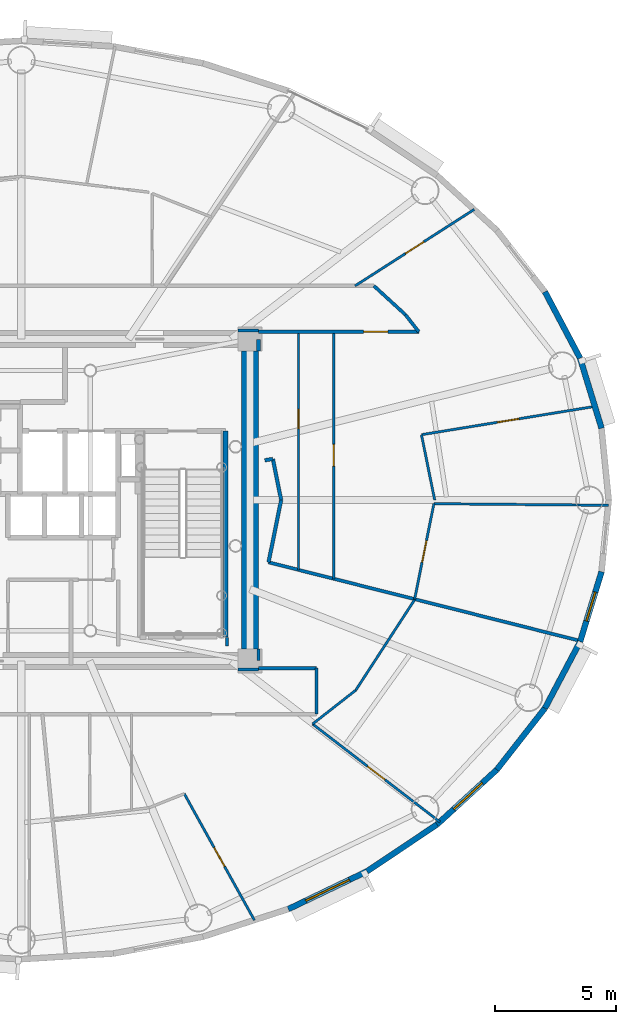
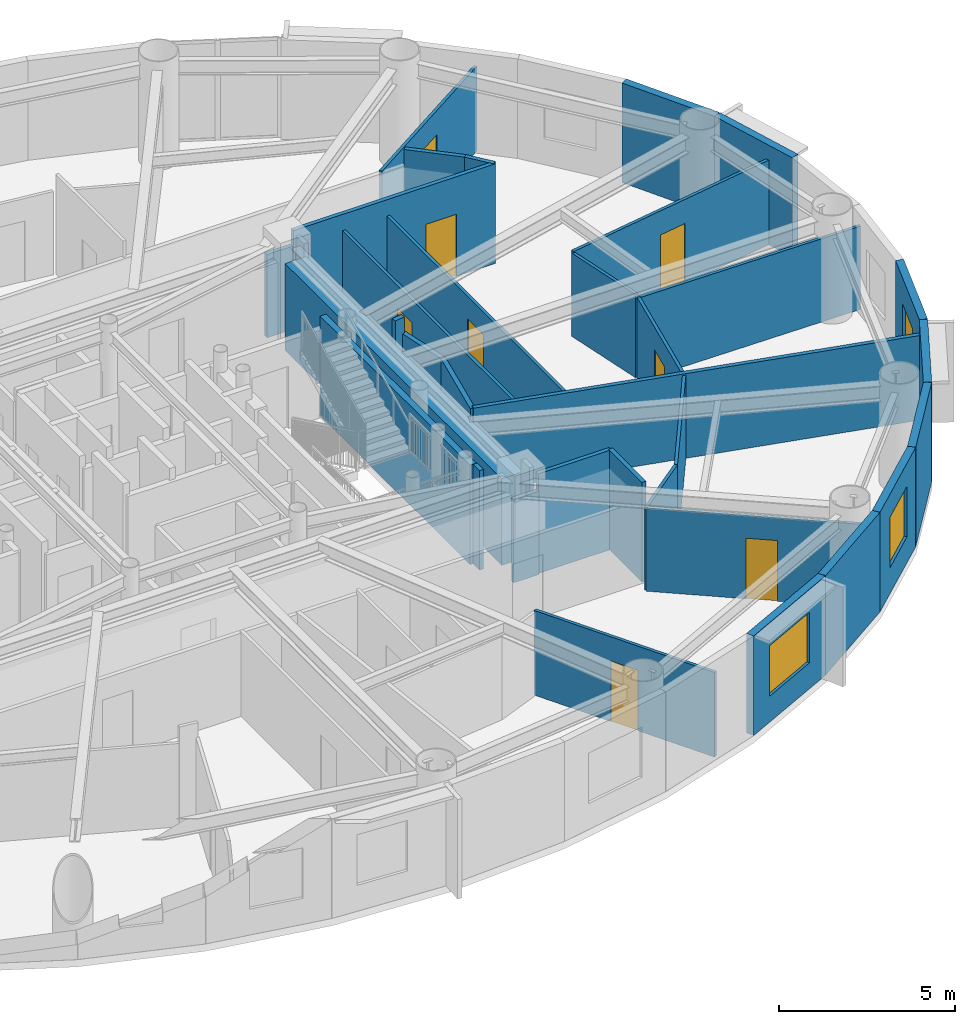
# One storey, part 10 of 18: 35 walls, 8 doors, 3 windows, 11 openings.
"""IFC4 building model written with IfcOpenShell, lengths in metres."""

from ifc_helpers import new_model, si_unit, direction, frame, frame_2d, origin, origin_2d, place, context, subcontext, project, spatial, rectangle, extrude, source, transform, mapped, material, layer, layer_set, type_object, element, fill, save


model = new_model("IFC4")

# Units and contexts
model_context = context("Model", 3, precision=1e-05, world=origin(), true_north=direction((0.0, 1.0)))
body_context = subcontext(model_context, "Body", "Model", "MODEL_VIEW")
ifc_project = project(units=[si_unit("LENGTHUNIT", "METRE"), si_unit("AREAUNIT", "SQUARE_METRE"), si_unit("VOLUMEUNIT", "CUBIC_METRE"), si_unit("PLANEANGLEUNIT", "RADIAN"), si_unit("MASSUNIT", "GRAM", prefix="KILO")], contexts=[model_context])

# Site, building, storey
site_placement = place(None, origin())
site = spatial("IfcSite", under=ifc_project, at=site_placement, CompositionType="ELEMENT")
building_placement = place(site_placement, origin())
building = spatial("IfcBuilding", under=site, at=building_placement, Name="Linh Dai School and Residence Tower", CompositionType="ELEMENT")
storey_placement = place(building_placement, frame((0.0, 0.0, 259.050048828125)))
storey = spatial("IfcBuildingStorey", under=building, at=storey_placement, Name="L64", CompositionType="ELEMENT", Elevation=259.050048828125)

# Walls
ifc_material_1 = material(Name="Precast Concrete B45 (C35/45)", Category="concrete")
ifc_layer_1 = layer(ifc_material_1, 0.239990234375)
ifc_layer_set_1 = layer_set([ifc_layer_1], Name="Precast Concrete B45 (C35/45)")
wall_type_1 = type_object("IfcWallType", Name="EW-TC-240", PredefinedType="SOLIDWALL", material=ifc_layer_set_1)
wall_1_placement = place(storey_placement, frame((59.09033203125, 32.85595703125, 0.0), z_axis=(0.0, 0.0, 1.0), x_axis=(0.293132907334, -0.95607170162, 0.0)))
element("IfcWall", 1, at=wall_1_placement, inside=storey, type_object=wall_type_1, Name="L64 Terracotta Exterior Wall 02", PredefinedType="SOLIDWALL", context=body_context, shape_type="SweptSolid", body=[
    extrude(rectangle(XDim=3.02490234375, YDim=0.239990234375, at=frame_2d((1.512451171875, 0.0))), origin(), (0.0, 0.0, 1.0), 3.449951171875),
])
wall_2_placement = place(storey_placement, frame((57.6357421875, 35.605224609375, 0.0), z_axis=(0.0, 0.0, 1.0), x_axis=(0.46766049993, -0.883908172157, 0.0)))
element("IfcWall", 2, at=wall_2_placement, inside=storey, type_object=wall_type_1, Name="L64 Terracotta Exterior Wall 03", PredefinedType="SOLIDWALL", context=body_context, shape_type="SweptSolid", body=[
    extrude(rectangle(XDim=3.1103515625, YDim=0.239990234375, at=frame_2d((1.55517578125, 0.0))), origin(), (0.0, 0.0, 1.0), 3.449951171875),
])

# Wall, opening, window
wall_3_placement = place(storey_placement, frame((50.280029296875, 11.65234375, 0.0), z_axis=(0.0, 0.0, 1.0), x_axis=(-0.901598104751, -0.432574684313, 0.0)))
wall_3 = element("IfcWall", 3, at=wall_3_placement, inside=storey, type_object=wall_type_1, Name="L64 Terracotta Exterior Wall 34", PredefinedType="SOLIDWALL", context=body_context, shape_type="SweptSolid", body=[
    extrude(rectangle(XDim=3.603515625, YDim=0.239990234375, at=frame_2d((1.8017578125, 0.0))), origin(), (0.0, 0.0, 1.0), 3.449951171875),
])
opening_1_placement = place(wall_3_placement, frame((0.802001953125, 0.0, 0.89990234375)))
opening_1 = element("IfcOpeningElement", 4, at=opening_1_placement, cuts=wall_3, Name="Opening W1", PredefinedType="OPENING", context=body_context, shape_type="SweptSolid", body=[
    extrude(rectangle(XDim=2.0, YDim=1.75, at=origin_2d()), frame((1.0, 0.1298828125, 0.875), z_axis=(0.0, -1.0, 0.0), x_axis=(1.0, 0.0, 0.0)), (0.0, 0.0, 1.0), 0.260009765625),
])
ifc_material_2 = material(Name="Double Low-E Insulated Glazing", Category="glass")
window_type_1 = type_object("IfcWindowType", Name="WN-RES-2000x1750", PartitioningType="DOUBLE_PANEL_VERTICAL", PredefinedType="WINDOW", material=ifc_material_2)
shared_shape_1 = source(origin(), body_context, "Body", "SweptSolid", [
    extrude(rectangle(XDim=2.0, YDim=1.75, at=origin_2d()), frame((1.0, 0.030029296875, 0.875), z_axis=(0.0, -1.0, 0.0), x_axis=(1.0, 0.0, 0.0)), (0.0, 0.0, 1.0), 0.06005859375),
])
window_1_placement = place(opening_1_placement, origin())
window_1 = element("IfcWindow", 5, at=window_1_placement, inside=storey, type_object=window_type_1, Name="L64 Exterior Window 34.1", OverallHeight=1.75, OverallWidth=2.0, PartitioningType="DOUBLE_PANEL_VERTICAL", PredefinedType="WINDOW", context=body_context, shape_type="MappedRepresentation", body=[
    mapped(shared_shape_1, transform((0.0, 0.0, 0.0), x_axis=(1.0, 0.0, 0.0), y_axis=(0.0, 1.0, 0.0), z_axis=(0.0, 0.0, 1.0), scale=1.0)),
])
fill(opening_1, window_1)

# Wall
wall_4_placement = place(storey_placement, frame((53.17626953125, 13.589111328125, 0.0), z_axis=(0.0, 0.0, 1.0), x_axis=(-0.831262496074, -0.555880079352, 0.0)))
element("IfcWall", 6, at=wall_4_placement, inside=storey, type_object=wall_type_1, Name="L64 Terracotta Exterior Wall 35", PredefinedType="SOLIDWALL", context=body_context, shape_type="SweptSolid", body=[
    extrude(rectangle(XDim=3.484130859375, YDim=0.239990234375, at=frame_2d((1.7421875, 0.0))), origin(), (0.0, 0.0, 1.0), 3.449951171875),
])

# Wall, opening, window
wall_5_placement = place(storey_placement, frame((55.6484375, 15.85546875, 0.0), z_axis=(0.0, 0.0, 1.0), x_axis=(-0.737123922599, -0.675757591694, 0.0)))
wall_5 = element("IfcWall", 7, at=wall_5_placement, inside=storey, type_object=wall_type_1, Name="L64 Terracotta Exterior Wall 36", PredefinedType="SOLIDWALL", context=body_context, shape_type="SweptSolid", body=[
    extrude(rectangle(XDim=3.353759765625, YDim=0.239990234375, at=frame_2d((1.6767578125, 0.0))), origin(), (0.0, 0.0, 1.0), 3.449951171875),
])
opening_2_placement = place(wall_5_placement, frame((0.81298828125, 0.0, 0.89990234375)))
opening_2 = element("IfcOpeningElement", 8, at=opening_2_placement, cuts=wall_5, Name="Opening W2", PredefinedType="OPENING", context=body_context, shape_type="SweptSolid", body=[
    extrude(rectangle(XDim=1.60009765625, YDim=1.75, at=origin_2d()), frame((0.800048828125, 0.1298828125, 0.875), z_axis=(0.0, -1.0, 0.0), x_axis=(1.0, 0.0, 0.0)), (0.0, 0.0, 1.0), 0.260009765625),
])
window_type_2 = type_object("IfcWindowType", Name="WN-RES-1600x1750", PartitioningType="DOUBLE_PANEL_VERTICAL", PredefinedType="WINDOW", material=ifc_material_2)
shared_shape_2 = source(origin(), body_context, "Body", "SweptSolid", [
    extrude(rectangle(XDim=1.60009765625, YDim=1.75, at=origin_2d()), frame((0.800048828125, 0.030029296875, 0.875), z_axis=(0.0, -1.0, 0.0), x_axis=(1.0, 0.0, 0.0)), (0.0, 0.0, 1.0), 0.06005859375),
])
window_2_placement = place(opening_2_placement, origin())
window_2 = element("IfcWindow", 9, at=window_2_placement, inside=storey, type_object=window_type_2, Name="L64 Exterior Window 36.1", OverallHeight=1.75, OverallWidth=1.60009765625, PartitioningType="DOUBLE_PANEL_VERTICAL", PredefinedType="WINDOW", context=body_context, shape_type="MappedRepresentation", body=[
    mapped(shared_shape_2, transform((0.0, 0.0, 0.0), x_axis=(1.0, 0.0, 0.0), y_axis=(0.0, 1.0, 0.0), z_axis=(0.0, 0.0, 1.0), scale=1.0)),
])
fill(opening_2, window_2)

# Walls
wall_6_placement = place(storey_placement, frame((57.6357421875, 18.394775390625, 0.0), z_axis=(0.0, 0.0, 1.0), x_axis=(-0.616312344705, -0.787501805562, 0.0)))
element("IfcWall", 10, at=wall_6_placement, inside=storey, type_object=wall_type_1, Name="L64 Terracotta Exterior Wall 37", PredefinedType="SOLIDWALL", context=body_context, shape_type="SweptSolid", body=[
    extrude(rectangle(XDim=3.224609375, YDim=0.239990234375, at=frame_2d((1.6123046875, 0.0))), origin(), (0.0, 0.0, 1.0), 3.449951171875),
])
wall_7_placement = place(storey_placement, frame((59.09033203125, 21.14404296875, 0.0), z_axis=(0.0, 0.0, 1.0), x_axis=(-0.46766049993, -0.883908172157, 0.0)))
element("IfcWall", 11, at=wall_7_placement, inside=storey, type_object=wall_type_1, Name="L64 Terracotta Exterior Wall 38", PredefinedType="SOLIDWALL", context=body_context, shape_type="SweptSolid", body=[
    extrude(rectangle(XDim=3.1103515625, YDim=0.239990234375, at=frame_2d((1.55517578125, 0.0))), origin(), (0.0, 0.0, 1.0), 3.449951171875),
])

# Wall, opening, window
wall_8_placement = place(storey_placement, frame((59.97705078125, 24.0361328125, 0.0), z_axis=(0.0, 0.0, 1.0), x_axis=(-0.293132907334, -0.95607170162, 0.0)))
wall_8 = element("IfcWall", 12, at=wall_8_placement, inside=storey, type_object=wall_type_1, Name="L64 Terracotta Exterior Wall 39", PredefinedType="SOLIDWALL", context=body_context, shape_type="SweptSolid", body=[
    extrude(rectangle(XDim=3.02490234375, YDim=0.239990234375, at=frame_2d((1.512451171875, 0.0))), origin(), (0.0, 0.0, 1.0), 3.449951171875),
])
opening_3_placement = place(wall_8_placement, frame((0.8798828125, 0.0, 0.89990234375)))
opening_3 = element("IfcOpeningElement", 13, at=opening_3_placement, cuts=wall_8, Name="Opening W3", PredefinedType="OPENING", context=body_context, shape_type="SweptSolid", body=[
    extrude(rectangle(XDim=1.25, YDim=1.64990234375, at=origin_2d()), frame((0.625, 0.1298828125, 0.824951171875), z_axis=(0.0, -1.0, 0.0), x_axis=(1.0, 0.0, 0.0)), (0.0, 0.0, 1.0), 0.260009765625),
])
window_type_3 = type_object("IfcWindowType", Name="WN-RES-1250x1650", PartitioningType="SINGLE_PANEL", PredefinedType="WINDOW", material=ifc_material_2)
shared_shape_3 = source(origin(), body_context, "Body", "SweptSolid", [
    extrude(rectangle(XDim=1.25, YDim=1.64990234375, at=origin_2d()), frame((0.625, 0.030029296875, 0.824951171875), z_axis=(0.0, -1.0, 0.0), x_axis=(1.0, 0.0, 0.0)), (0.0, 0.0, 1.0), 0.06005859375),
])
window_3_placement = place(opening_3_placement, origin())
window_3 = element("IfcWindow", 14, at=window_3_placement, inside=storey, type_object=window_type_3, Name="L64 Exterior Window 39.1", OverallHeight=1.64990234375, OverallWidth=1.25, PartitioningType="SINGLE_PANEL", PredefinedType="WINDOW", context=body_context, shape_type="MappedRepresentation", body=[
    mapped(shared_shape_3, transform((0.0, 0.0, 0.0), x_axis=(1.0, 0.0, 0.0), y_axis=(0.0, 1.0, 0.0), z_axis=(0.0, 0.0, 1.0), scale=1.0)),
])
fill(opening_3, window_3)

# Wall
ifc_material_3 = material(Name="Autoclaved Aerated Concrete Blockwork", Category="masonry")
ifc_layer_2 = layer(ifc_material_3, 0.135009765625)
ifc_layer_set_2 = layer_set([ifc_layer_2], Name="Autoclaved Aerated Concrete Blockwork")
wall_type_2 = type_object("IfcWallType", Name="IW-CORR-135-EI90", PredefinedType="PARTITIONING", material=ifc_layer_set_2)
wall_9_placement = place(storey_placement, frame((45.800048828125, 20.050048828125, 0.0), z_axis=(0.0, 0.0, 1.0), x_axis=(1.0, 0.0, 0.0)))
element("IfcWall", 15, at=wall_9_placement, inside=storey, type_object=wall_type_2, Name="L64 Interior Partition Wall 075", PredefinedType="PARTITIONING", context=body_context, shape_type="SweptSolid", body=[
    extrude(rectangle(XDim=2.39990234375, YDim=0.135009765625, at=frame_2d((1.199951171875, 0.0))), origin(), (0.0, 0.0, 1.0), 3.449951171875),
])

# Wall, opening, door
wall_10_placement = place(storey_placement, frame((45.800048828125, 33.949951171875, 0.0), z_axis=(0.0, 0.0, 1.0), x_axis=(1.0, 0.0, 0.0)))
wall_10 = element("IfcWall", 16, at=wall_10_placement, inside=storey, type_object=wall_type_2, Name="L64 Interior Partition Wall 076", PredefinedType="PARTITIONING", context=body_context, shape_type="SweptSolid", body=[
    extrude(rectangle(XDim=6.623779296875, YDim=0.135009765625, at=frame_2d((3.31201171875, 0.0))), origin(), (0.0, 0.0, 1.0), 3.449951171875),
])
opening_4_placement = place(wall_10_placement, frame((4.345947265625, 0.0, 0.0)))
opening_4 = element("IfcOpeningElement", 17, at=opening_4_placement, cuts=wall_10, Name="Opening D03", PredefinedType="OPENING", context=body_context, shape_type="SweptSolid", body=[
    extrude(rectangle(XDim=1.0, YDim=2.14990234375, at=origin_2d()), frame((0.5, 0.07763671875, 1.074951171875), z_axis=(0.0, -1.0, 0.0), x_axis=(1.0, 0.0, 0.0)), (0.0, 0.0, 1.0), 0.155029296875),
])
ifc_material_4 = material(Name="Fire-Rated Solid Timber Entrance Door", Category="wood")
door_type_1 = type_object("IfcDoorType", Name="DR-FLAT-1000x2150-FD60S", OperationType="NOTDEFINED", PredefinedType="DOOR", material=ifc_material_4)
shared_shape_4 = source(origin(), body_context, "Body", "SweptSolid", [
    extrude(rectangle(XDim=1.0, YDim=2.14990234375, at=origin_2d()), frame((0.5, 0.02490234375, 1.074951171875), z_axis=(0.0, -1.0, 0.0), x_axis=(1.0, 0.0, 0.0)), (0.0, 0.0, 1.0), 0.050048828125),
])
door_1_placement = place(opening_4_placement, origin())
door_1 = element("IfcDoor", 18, at=door_1_placement, inside=storey, type_object=door_type_1, Name="L64 U6404 Apartment Entrance Door", OperationType="SINGLE_SWING_LEFT", OverallHeight=2.14990234375, OverallWidth=1.0, PredefinedType="DOOR", context=body_context, shape_type="MappedRepresentation", body=[
    mapped(shared_shape_4, transform((0.0, 0.0, 0.0), x_axis=(1.0, 0.0, 0.0), y_axis=(0.0, 1.0, 0.0), z_axis=(0.0, 0.0, 1.0), scale=1.0)),
])
fill(opening_4, door_1)

# Walls
wall_11_placement = place(storey_placement, frame((46.215087890625, 24.424560546875, 0.0), z_axis=(0.0, 0.0, 1.0), x_axis=(0.969657665326, -0.244466791355, 0.0)))
element("IfcWall", 19, at=wall_11_placement, inside=storey, type_object=wall_type_2, Name="L64 Interior Partition Wall 077", PredefinedType="PARTITIONING", context=body_context, shape_type="SweptSolid", body=[
    extrude(rectangle(XDim=13.293212890625, YDim=0.135009765625, at=frame_2d((6.646484375, 0.0))), origin(), (0.0, 0.0, 1.0), 2.93505859375),
])
wall_12_placement = place(storey_placement, frame((48.199951171875, 18.14990234375, 0.0), z_axis=(0.0, 0.0, 1.0), x_axis=(0.0, 1.0, 0.0)))
element("IfcWall", 20, at=wall_12_placement, inside=storey, type_object=wall_type_2, Name="L64 Interior Partition Wall 081", PredefinedType="PARTITIONING", context=body_context, shape_type="SweptSolid", body=[
    extrude(rectangle(XDim=1.900146484375, YDim=0.135009765625, at=frame_2d((0.9501953125, 0.0))), origin(), (0.0, 0.0, 1.0), 3.449951171875),
])
wall_13_placement = place(storey_placement, frame((50.56787109375, 35.85009765625, 0.0), z_axis=(0.0, 0.0, 1.0), x_axis=(0.737102657331, -0.675780787353, 0.0)))
element("IfcWall", 21, at=wall_13_placement, inside=storey, type_object=wall_type_2, Name="L64 Interior Partition Wall 085", PredefinedType="PARTITIONING", context=body_context, shape_type="SweptSolid", body=[
    extrude(rectangle(XDim=1.771728515625, YDim=0.135009765625, at=frame_2d((0.8857421875, 0.0))), origin(), (0.0, 0.0, 1.0), 3.449951171875),
])
wall_14_placement = place(storey_placement, frame((51.873779296875, 34.65283203125, 0.0), z_axis=(0.0, 0.0, 1.0), x_axis=(0.61628613448, -0.787522317429, 0.0)))
element("IfcWall", 22, at=wall_14_placement, inside=storey, type_object=wall_type_2, Name="L64 Interior Partition Wall 086", PredefinedType="PARTITIONING", context=body_context, shape_type="SweptSolid", body=[
    extrude(rectangle(XDim=0.892578125, YDim=0.135009765625, at=frame_2d((0.4462890625, 0.0))), origin(), (0.0, 0.0, 1.0), 3.449951171875),
])
wall_15_placement = place(storey_placement, frame((44.5, 20.9599609375, 0.0), z_axis=(0.0, 0.0, 1.0), x_axis=(0.0, 1.0, 0.0)))
element("IfcWall", 23, at=wall_15_placement, inside=storey, type_object=wall_type_2, Name="L64 Interior Partition Wall 095", PredefinedType="PARTITIONING", context=body_context, shape_type="SweptSolid", body=[
    extrude(rectangle(XDim=0.360107421875, YDim=0.135009765625, at=frame_2d((0.18017578125, 0.0))), origin(), (0.0, 0.0, 1.0), 3.449951171875),
])
for number, where, z_axis, x_axis, name in (
    (24, (45.7900390625, 34.0, 0.0), (0.0, 0.0, 1.0), (-1.0, 0.0, 0.0), "L64 Interior Partition Wall 098"),
    (25, (44.9599609375, 20.0, 0.0), (0.0, 0.0, 1.0), (1.0, 0.0, 0.0), "L64 Interior Partition Wall 103"),
):
    element("IfcWall", number, at=place(storey_placement, frame(where, z_axis=z_axis, x_axis=x_axis)), inside=storey, type_object=wall_type_2, Name=name, PredefinedType="PARTITIONING", context=body_context, shape_type="SweptSolid", body=[
        extrude(rectangle(XDim=0.830078125, YDim=0.135009765625, at=frame_2d((0.4150390625, 0.0))), origin(), (0.0, 0.0, 1.0), 2.885009765625),
    ])
wall_16_placement = place(storey_placement, frame((45.800048828125, 20.37744140625, 0.0), z_axis=(0.0, 0.0, 1.0), x_axis=(0.0, 1.0, 0.0)))
element("IfcWall", 26, at=wall_16_placement, inside=storey, type_object=wall_type_2, Name="L64 Interior Partition Wall 108", PredefinedType="PARTITIONING", context=body_context, shape_type="SweptSolid", body=[
    extrude(rectangle(XDim=0.462646484375, YDim=0.135009765625, at=frame_2d((0.2314453125, 0.0))), origin(), (0.0, 0.0, 1.0), 3.449951171875),
])
ifc_layer_3 = layer(ifc_material_3, 0.14990234375)
ifc_layer_set_3 = layer_set([ifc_layer_3], Name="Autoclaved Aerated Concrete Blockwork")
wall_type_3 = type_object("IfcWallType", Name="IW-SCH-150-EI60", PredefinedType="PARTITIONING", material=ifc_layer_set_3)
wall_17_placement = place(storey_placement, frame((46.215087890625, 24.424560546875, 0.0), z_axis=(0.0, 0.0, 1.0), x_axis=(0.19827768715, 0.980145886477, 0.0)))
element("IfcWall", 27, at=wall_17_placement, inside=storey, type_object=wall_type_3, Name="L64 Interior Partition Wall 109", PredefinedType="PARTITIONING", context=body_context, shape_type="SweptSolid", body=[
    extrude(rectangle(XDim=2.627685546875, YDim=0.14990234375, at=frame_2d((1.31396484375, 0.0))), origin(), (0.0, 0.0, 1.0), 2.885009765625),
])
wall_18_placement = place(storey_placement, frame((46.736083984375, 27.0, 0.0), z_axis=(0.0, 0.0, 1.0), x_axis=(-0.198367575061, 0.980127698397, 0.0)))
element("IfcWall", 28, at=wall_18_placement, inside=storey, type_object=wall_type_3, Name="L64 Interior Partition Wall 110", PredefinedType="PARTITIONING", context=body_context, shape_type="SweptSolid", body=[
    extrude(rectangle(XDim=1.73046875, YDim=0.14990234375, at=frame_2d((0.865234375, 0.0))), origin(), (0.0, 0.0, 1.0), 2.885009765625),
])
wall_19_placement = place(storey_placement, frame((46.392822265625, 28.69580078125, 0.0), z_axis=(0.0, 0.0, 1.0), x_axis=(-0.986993913165, -0.16075762929, 0.0)))
element("IfcWall", 29, at=wall_19_placement, inside=storey, type_object=wall_type_3, Name="L64 Interior Partition Wall 111", PredefinedType="PARTITIONING", context=body_context, shape_type="SweptSolid", body=[
    extrude(rectangle(XDim=0.337158203125, YDim=0.14990234375, at=frame_2d((0.16845703125, 0.0))), origin(), (0.0, 0.0, 1.0), 3.449951171875),
])
wall_20_placement = place(storey_placement, frame((45.800048828125, 33.159912109375, 0.0), z_axis=(0.0, 0.0, 1.0), x_axis=(0.0, 1.0, 0.0)))
element("IfcWall", 30, at=wall_20_placement, inside=storey, type_object=wall_type_3, Name="L64 Interior Partition Wall 112", PredefinedType="PARTITIONING", context=body_context, shape_type="SweptSolid", body=[
    extrude(rectangle(XDim=0.462646484375, YDim=0.14990234375, at=frame_2d((0.2314453125, 0.0))), origin(), (0.0, 0.0, 1.0), 3.449951171875),
])
ifc_material_5 = material(Name="Concrete B45 (C35/45)", Category="concrete")
ifc_layer_4 = layer(ifc_material_5, 0.199951171875)
ifc_layer_set_4 = layer_set([ifc_layer_4], Name="Concrete B45 (C35/45)")
wall_type_4 = type_object("IfcWallType", Name="IW-SHAFT-200-EI120", PredefinedType="PARTITIONING", material=ifc_layer_set_4)
wall_21_placement = place(storey_placement, frame((44.43994140625, 21.330078125, 0.0), z_axis=(0.0, 0.0, 1.0), x_axis=(0.0, 1.0, 0.0)))
element("IfcWall", 31, at=wall_21_placement, inside=storey, type_object=wall_type_4, Name="L64 Interior Partition Wall 074", PredefinedType="PARTITIONING", context=body_context, shape_type="SweptSolid", body=[
    extrude(rectangle(XDim=8.52001953125, YDim=0.199951171875, at=frame_2d((4.260009765625, 0.0))), origin(), (0.0, 0.0, 1.0), 3.449951171875),
])

# Wall, opening, door
ifc_material_6 = material(Name="Gypsum Plasterboard Acoustic Stud Partition", Category="masonry")
ifc_layer_5 = layer(ifc_material_6, 0.10009765625)
ifc_layer_set_5 = layer_set([ifc_layer_5], Name="Gypsum Plasterboard Acoustic Stud Partition")
wall_type_5 = type_object("IfcWallType", Name="IW-UNIT-100", PredefinedType="PARTITIONING", material=ifc_layer_set_5)
wall_22_placement = place(storey_placement, frame((42.73193359375, 14.861083984375, 0.0), z_axis=(0.0, 0.0, 1.0), x_axis=(0.485004680322, -0.874511555136, 0.0)))
wall_22 = element("IfcWall", 32, at=wall_22_placement, inside=storey, type_object=wall_type_5, Name="L64 Interior Partition Wall 073", PredefinedType="PARTITIONING", context=body_context, shape_type="SweptSolid", body=[
    extrude(rectangle(XDim=5.97705078125, YDim=0.10009765625, at=frame_2d((2.988525390625, 0.0))), origin(), (0.0, 0.0, 1.0), 2.93505859375),
])
opening_5_placement = place(wall_22_placement, frame((2.53857421875, 0.0, 0.0)))
opening_5 = element("IfcOpeningElement", 33, at=opening_5_placement, cuts=wall_22, Name="Opening D05", PredefinedType="OPENING", context=body_context, shape_type="SweptSolid", body=[
    extrude(rectangle(XDim=0.89990234375, YDim=2.10009765625, at=origin_2d()), frame((0.449951171875, 0.06005859375, 1.050048828125), z_axis=(0.0, -1.0, 0.0), x_axis=(1.0, 0.0, 0.0)), (0.0, 0.0, 1.0), 0.1201171875),
])
ifc_material_7 = material(Name="Engineered Timber Internal Door", Category="wood")
door_type_2 = type_object("IfcDoorType", Name="DR-INT-900x2100", OperationType="NOTDEFINED", PredefinedType="DOOR", material=ifc_material_7)
shared_shape_5 = source(origin(), body_context, "Body", "SweptSolid", [
    extrude(rectangle(XDim=0.89990234375, YDim=2.10009765625, at=origin_2d()), frame((0.449951171875, 0.02490234375, 1.050048828125), z_axis=(0.0, -1.0, 0.0), x_axis=(1.0, 0.0, 0.0)), (0.0, 0.0, 1.0), 0.050048828125),
])
door_2_placement = place(opening_5_placement, origin())
door_2 = element("IfcDoor", 34, at=door_2_placement, inside=storey, type_object=door_type_2, Name="L64 Apartment U6403 Bedroom 1 Door", OperationType="SINGLE_SWING_LEFT", OverallHeight=2.10009765625, OverallWidth=0.89990234375, PredefinedType="DOOR", context=body_context, shape_type="MappedRepresentation", body=[
    mapped(shared_shape_5, transform((0.0, 0.0, 0.0), x_axis=(1.0, 0.0, 0.0), y_axis=(0.0, 1.0, 0.0), z_axis=(0.0, 0.0, 1.0), scale=1.0)),
])
fill(opening_5, door_2)

wall_23_placement = place(storey_placement, frame((47.453125, 24.1123046875, 0.0), z_axis=(0.0, 0.0, 1.0), x_axis=(0.0, 1.0, 0.0)))
wall_23 = element("IfcWall", 35, at=wall_23_placement, inside=storey, type_object=wall_type_5, Name="L64 Interior Partition Wall 078", PredefinedType="PARTITIONING", context=body_context, shape_type="SweptSolid", body=[
    extrude(rectangle(XDim=9.837646484375, YDim=0.10009765625, at=frame_2d((4.9189453125, 0.0))), origin(), (0.0, 0.0, 1.0), 2.885009765625),
])
opening_6_placement = place(wall_23_placement, frame((5.825439453125, 0.0, 0.0)))
opening_6 = element("IfcOpeningElement", 36, at=opening_6_placement, cuts=wall_23, Name="Opening D06", PredefinedType="OPENING", context=body_context, shape_type="SweptSolid", body=[
    extrude(rectangle(XDim=0.820068359375, YDim=2.10009765625, at=origin_2d()), frame((0.41015625, 0.06005859375, 1.050048828125), z_axis=(0.0, -1.0, 0.0), x_axis=(1.0, 0.0, 0.0)), (0.0, 0.0, 1.0), 0.1201171875),
])
ifc_material_8 = material(Name="Moisture-Resistant Timber Bathroom Door", Category="wood")
door_type_3 = type_object("IfcDoorType", Name="DR-WET-820x2100", OperationType="NOTDEFINED", PredefinedType="DOOR", material=ifc_material_8)
shared_shape_6 = source(origin(), body_context, "Body", "SweptSolid", [
    extrude(rectangle(XDim=0.820068359375, YDim=2.10009765625, at=origin_2d()), frame((0.41015625, 0.02490234375, 1.050048828125), z_axis=(0.0, -1.0, 0.0), x_axis=(1.0, 0.0, 0.0)), (0.0, 0.0, 1.0), 0.050048828125),
])
door_3_placement = place(opening_6_placement, origin())
door_3 = element("IfcDoor", 37, at=door_3_placement, inside=storey, type_object=door_type_3, Name="L64 Apartment U6404 Bathroom 1 Door", OperationType="SINGLE_SWING_RIGHT", OverallHeight=2.10009765625, OverallWidth=0.820068359375, PredefinedType="DOOR", context=body_context, shape_type="MappedRepresentation", body=[
    mapped(shared_shape_6, transform((0.0, 0.0, 0.0), x_axis=(1.0, 0.0, 0.0), y_axis=(0.0, 1.0, 0.0), z_axis=(0.0, 0.0, 1.0), scale=1.0)),
])
fill(opening_6, door_3)

# Wall
wall_24_placement = place(storey_placement, frame((48.0341796875, 17.74267578125, 0.0), z_axis=(0.0, 0.0, 1.0), x_axis=(0.787427677995, 0.616407050517, 0.0)))
element("IfcWall", 38, at=wall_24_placement, inside=storey, type_object=wall_type_5, Name="L64 Interior Partition Wall 079", PredefinedType="PARTITIONING", context=body_context, shape_type="SweptSolid", body=[
    extrude(rectangle(XDim=2.265625, YDim=0.10009765625, at=frame_2d((1.1328125, 0.0))), origin(), (0.0, 0.0, 1.0), 2.885009765625),
])

# Wall, opening, door
wall_25_placement = place(storey_placement, frame((48.0341796875, 17.74267578125, 0.0), z_axis=(0.0, 0.0, 1.0), x_axis=(0.792617155724, -0.609719644141, 0.0)))
wall_25 = element("IfcWall", 39, at=wall_25_placement, inside=storey, type_object=wall_type_5, Name="L64 Interior Partition Wall 080", PredefinedType="PARTITIONING", context=body_context, shape_type="SweptSolid", body=[
    extrude(rectangle(XDim=6.640869140625, YDim=0.10009765625, at=frame_2d((3.3203125, 0.0))), origin(), (0.0, 0.0, 1.0), 2.885009765625),
])
opening_7_placement = place(wall_25_placement, frame((2.870361328125, 0.0, 0.0)))
opening_7 = element("IfcOpeningElement", 40, at=opening_7_placement, cuts=wall_25, Name="Opening D05", PredefinedType="OPENING", context=body_context, shape_type="SweptSolid", body=[
    extrude(rectangle(XDim=0.89990234375, YDim=2.10009765625, at=origin_2d()), frame((0.449951171875, 0.06005859375, 1.050048828125), z_axis=(0.0, -1.0, 0.0), x_axis=(1.0, 0.0, 0.0)), (0.0, 0.0, 1.0), 0.1201171875),
])
door_4_placement = place(opening_7_placement, origin())
door_4 = element("IfcDoor", 41, at=door_4_placement, inside=storey, type_object=door_type_2, Name="L64 Apartment U6403 Principal Bedroom 2 Door", OperationType="SINGLE_SWING_RIGHT", OverallHeight=2.10009765625, OverallWidth=0.89990234375, PredefinedType="DOOR", context=body_context, shape_type="MappedRepresentation", body=[
    mapped(shared_shape_5, transform((0.0, 0.0, 0.0), x_axis=(1.0, 0.0, 0.0), y_axis=(0.0, 1.0, 0.0), z_axis=(0.0, 0.0, 1.0), scale=1.0)),
])
fill(opening_7, door_4)

wall_26_placement = place(storey_placement, frame((48.907958984375, 23.74560546875, 0.0), z_axis=(0.0, 0.0, 1.0), x_axis=(0.0, 1.0, 0.0)))
wall_26 = element("IfcWall", 42, at=wall_26_placement, inside=storey, type_object=wall_type_5, Name="L64 Interior Partition Wall 082", PredefinedType="PARTITIONING", context=body_context, shape_type="SweptSolid", body=[
    extrude(rectangle(XDim=10.204345703125, YDim=0.10009765625, at=frame_2d((5.10205078125, 0.0))), origin(), (0.0, 0.0, 1.0), 2.885009765625),
])
opening_8_placement = place(wall_26_placement, frame((4.652099609375, 0.0, 0.0)))
opening_8 = element("IfcOpeningElement", 43, at=opening_8_placement, cuts=wall_26, Name="Opening D05", PredefinedType="OPENING", context=body_context, shape_type="SweptSolid", body=[
    extrude(rectangle(XDim=0.89990234375, YDim=2.10009765625, at=origin_2d()), frame((0.449951171875, 0.06005859375, 1.050048828125), z_axis=(0.0, -1.0, 0.0), x_axis=(1.0, 0.0, 0.0)), (0.0, 0.0, 1.0), 0.1201171875),
])
door_5_placement = place(opening_8_placement, origin())
door_5 = element("IfcDoor", 44, at=door_5_placement, inside=storey, type_object=door_type_2, Name="L64 Apartment U6404 Kitchen Door", OperationType="SINGLE_SWING_LEFT", OverallHeight=2.10009765625, OverallWidth=0.89990234375, PredefinedType="DOOR", context=body_context, shape_type="MappedRepresentation", body=[
    mapped(shared_shape_5, transform((0.0, 0.0, 0.0), x_axis=(1.0, 0.0, 0.0), y_axis=(0.0, 1.0, 0.0), z_axis=(0.0, 0.0, 1.0), scale=1.0)),
])
fill(opening_8, door_5)

wall_27_placement = place(storey_placement, frame((49.79248046875, 35.85009765625, 0.0), z_axis=(0.0, 0.0, 1.0), x_axis=(0.841640734873, 0.540037844416, 0.0)))
wall_27 = element("IfcWall", 45, at=wall_27_placement, inside=storey, type_object=wall_type_5, Name="L64 Interior Partition Wall 083", PredefinedType="PARTITIONING", context=body_context, shape_type="SweptSolid", body=[
    extrude(rectangle(XDim=5.84765625, YDim=0.10009765625, at=frame_2d((2.923828125, 0.0))), origin(), (0.0, 0.0, 1.0), 2.93505859375),
])
opening_9_placement = place(wall_27_placement, frame((2.473876953125, 0.0, 0.0)))
opening_9 = element("IfcOpeningElement", 46, at=opening_9_placement, cuts=wall_27, Name="Opening D05", PredefinedType="OPENING", context=body_context, shape_type="SweptSolid", body=[
    extrude(rectangle(XDim=0.89990234375, YDim=2.10009765625, at=origin_2d()), frame((0.449951171875, 0.06005859375, 1.050048828125), z_axis=(0.0, -1.0, 0.0), x_axis=(1.0, 0.0, 0.0)), (0.0, 0.0, 1.0), 0.1201171875),
])
door_6_placement = place(opening_9_placement, origin())
door_6 = element("IfcDoor", 47, at=door_6_placement, inside=storey, type_object=door_type_2, Name="L64 Apartment U6404 Principal Bedroom 2 Door", OperationType="SINGLE_SWING_RIGHT", OverallHeight=2.10009765625, OverallWidth=0.89990234375, PredefinedType="DOOR", context=body_context, shape_type="MappedRepresentation", body=[
    mapped(shared_shape_5, transform((0.0, 0.0, 0.0), x_axis=(1.0, 0.0, 0.0), y_axis=(0.0, 1.0, 0.0), z_axis=(0.0, 0.0, 1.0), scale=1.0)),
])
fill(opening_9, door_6)

# Wall
wall_28_placement = place(storey_placement, frame((49.818115234375, 19.13916015625, 0.0), z_axis=(0.0, 0.0, 1.0), x_axis=(0.545406924684, 0.83817139447, 0.0)))
element("IfcWall", 48, at=wall_28_placement, inside=storey, type_object=wall_type_5, Name="L64 Interior Partition Wall 084", PredefinedType="PARTITIONING", context=body_context, shape_type="SweptSolid", body=[
    extrude(rectangle(XDim=4.447998046875, YDim=0.10009765625, at=frame_2d((2.22412109375, 0.0))), origin(), (0.0, 0.0, 1.0), 2.885009765625),
])

# Wall, opening, door
wall_29_placement = place(storey_placement, frame((52.251220703125, 22.902587890625, 0.0), z_axis=(0.0, 0.0, 1.0), x_axis=(0.198227662963, 0.980156004744, 0.0)))
wall_29 = element("IfcWall", 49, at=wall_29_placement, inside=storey, type_object=wall_type_5, Name="L64 Interior Partition Wall 087", PredefinedType="PARTITIONING", context=body_context, shape_type="SweptSolid", body=[
    extrude(rectangle(XDim=4.023681640625, YDim=0.10009765625, at=frame_2d((2.01171875, 0.0))), origin(), (0.0, 0.0, 1.0), 2.885009765625),
])
opening_10_placement = place(wall_29_placement, frame((1.561767578125, 0.0, 0.0)))
opening_10 = element("IfcOpeningElement", 50, at=opening_10_placement, cuts=wall_29, Name="Opening D05", PredefinedType="OPENING", context=body_context, shape_type="SweptSolid", body=[
    extrude(rectangle(XDim=0.89990234375, YDim=2.10009765625, at=origin_2d()), frame((0.449951171875, 0.06005859375, 1.050048828125), z_axis=(0.0, -1.0, 0.0), x_axis=(1.0, 0.0, 0.0)), (0.0, 0.0, 1.0), 0.1201171875),
])
door_7_placement = place(opening_10_placement, origin())
door_7 = element("IfcDoor", 51, at=door_7_placement, inside=storey, type_object=door_type_2, Name="L64 Apartment U6404 Principal Bedroom 1 Door", OperationType="SINGLE_SWING_RIGHT", OverallHeight=2.10009765625, OverallWidth=0.89990234375, PredefinedType="DOOR", context=body_context, shape_type="MappedRepresentation", body=[
    mapped(shared_shape_5, transform((0.0, 0.0, 0.0), x_axis=(1.0, 0.0, 0.0), y_axis=(0.0, 1.0, 0.0), z_axis=(0.0, 0.0, 1.0), scale=1.0)),
])
fill(opening_10, door_7)

# Wall
wall_30_placement = place(storey_placement, frame((52.5341796875, 29.697998046875, 0.0), z_axis=(0.0, 0.0, 1.0), x_axis=(0.198315891718, -0.980138157145, 0.0)))
element("IfcWall", 52, at=wall_30_placement, inside=storey, type_object=wall_type_5, Name="L64 Interior Partition Wall 088", PredefinedType="PARTITIONING", context=body_context, shape_type="SweptSolid", body=[
    extrude(rectangle(XDim=2.752685546875, YDim=0.10009765625, at=frame_2d((1.37646484375, 0.0))), origin(), (0.0, 0.0, 1.0), 2.885009765625),
])

# Wall, opening, door
wall_31_placement = place(storey_placement, frame((52.5341796875, 29.697998046875, 0.0), z_axis=(0.0, 0.0, 1.0), x_axis=(0.98694585474, 0.161052413243, 0.0)))
wall_31 = element("IfcWall", 53, at=wall_31_placement, inside=storey, type_object=wall_type_5, Name="L64 Interior Partition Wall 089", PredefinedType="PARTITIONING", context=body_context, shape_type="SweptSolid", body=[
    extrude(rectangle(XDim=7.265625, YDim=0.10009765625, at=frame_2d((3.6328125, 0.0))), origin(), (0.0, 0.0, 1.0), 2.93505859375),
])
opening_11_placement = place(wall_31_placement, frame((3.182861328125, 0.0, 0.0)))
opening_11 = element("IfcOpeningElement", 54, at=opening_11_placement, cuts=wall_31, Name="Opening D05", PredefinedType="OPENING", context=body_context, shape_type="SweptSolid", body=[
    extrude(rectangle(XDim=0.89990234375, YDim=2.10009765625, at=origin_2d()), frame((0.449951171875, 0.06005859375, 1.050048828125), z_axis=(0.0, -1.0, 0.0), x_axis=(1.0, 0.0, 0.0)), (0.0, 0.0, 1.0), 0.1201171875),
])
door_8_placement = place(opening_11_placement, origin())
door_8 = element("IfcDoor", 55, at=door_8_placement, inside=storey, type_object=door_type_2, Name="L64 Apartment U6404 Study Door", OperationType="SINGLE_SWING_LEFT", OverallHeight=2.10009765625, OverallWidth=0.89990234375, PredefinedType="DOOR", context=body_context, shape_type="MappedRepresentation", body=[
    mapped(shared_shape_5, transform((0.0, 0.0, 0.0), x_axis=(1.0, 0.0, 0.0), y_axis=(0.0, 1.0, 0.0), z_axis=(0.0, 0.0, 1.0), scale=1.0)),
])
fill(opening_11, door_8)

# Walls
wall_32_placement = place(storey_placement, frame((53.048828125, 26.846435546875, 0.0), z_axis=(0.0, 0.0, 1.0), x_axis=(0.999959429593, -0.009007728276, 0.0)))
element("IfcWall", 56, at=wall_32_placement, inside=storey, type_object=wall_type_5, Name="L64 Interior Partition Wall 090", PredefinedType="PARTITIONING", context=body_context, shape_type="SweptSolid", body=[
    extrude(rectangle(XDim=7.20947265625, YDim=0.10009765625, at=frame_2d((3.604736328125, 0.0))), origin(), (0.0, 0.0, 1.0), 2.885009765625),
])
ifc_layer_6 = layer(ifc_material_5, 0.699951171875)
ifc_layer_set_6 = layer_set([ifc_layer_6], Name="Concrete B45 (C35/45)")
wall_type_6 = type_object("IfcWallType", Name="WL-CORE700", PredefinedType="SHEAR", material=ifc_layer_set_6)
wall_33_placement = place(storey_placement, frame((45.449951171875, 33.14990234375, 0.0), z_axis=(0.0, 0.0, 1.0), x_axis=(0.0, -1.0, 0.0)))
element("IfcWall", 57, at=wall_33_placement, inside=storey, type_object=wall_type_6, Name="L64 Central Core Shear Wall E", PredefinedType="SHEAR", context=body_context, shape_type="SweptSolid", body=[
    extrude(rectangle(XDim=12.2998046875, YDim=0.699951171875, at=frame_2d((6.14990234375, 0.0))), origin(), (0.0, 0.0, 1.0), 3.0),
])

save(model, "model.ifc")
